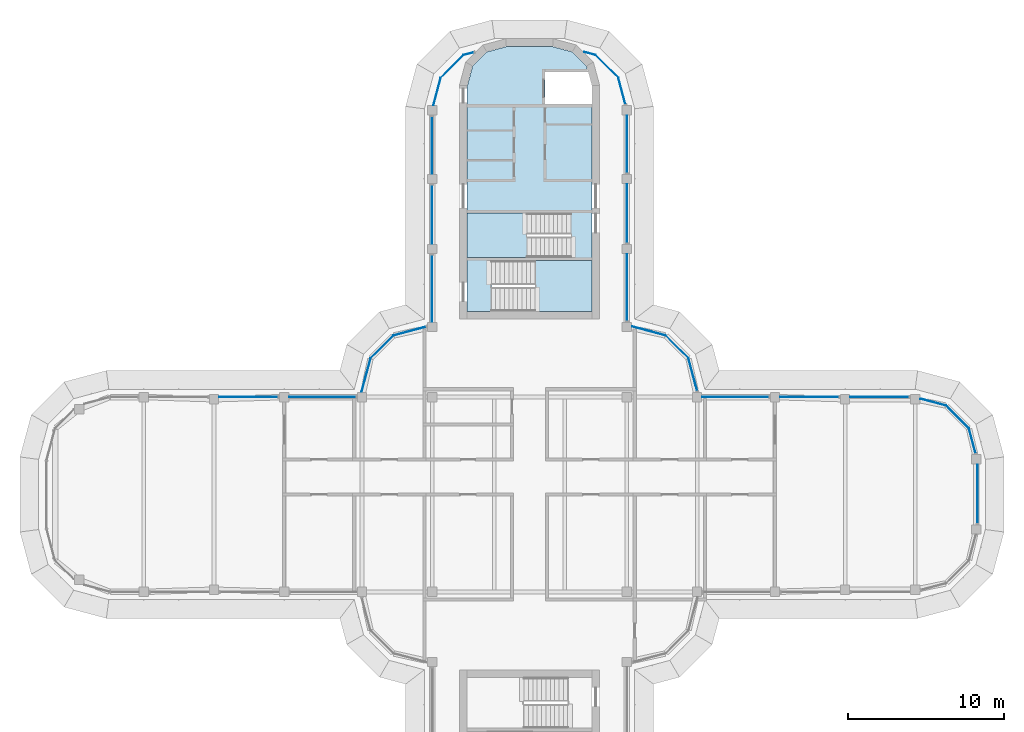
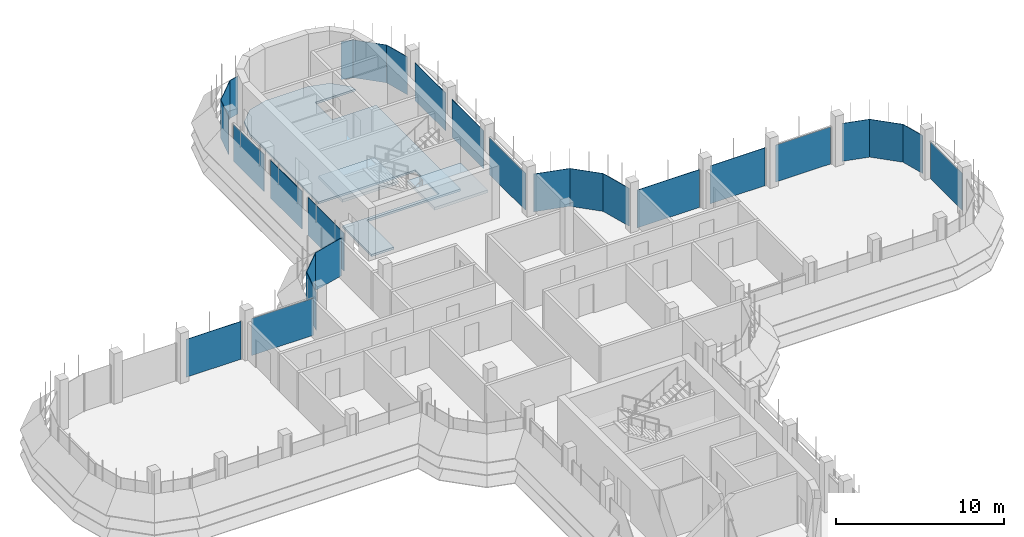
# One storey, part 12 of 19: 27 plates, 3 slabs, 22 elements without a shape of their own.
"""IFC4 building model written with IfcOpenShell, lengths in metres."""

from ifc_helpers import new_model, si_unit, direction, frame, origin, place, context, subcontext, project, spatial, polyline, outline, extrude, source, transform, mapped, material, layer, layer_set, type_object, element, aggregate, save


model = new_model("IFC4")

# Units and contexts
model_context = context("Model", 3, precision=1e-05, world=origin(), true_north=direction((0.0, 1.0)))
body_context = subcontext(model_context, "Body", "Model", "MODEL_VIEW")
ifc_project = project(units=[si_unit("LENGTHUNIT", "METRE"), si_unit("AREAUNIT", "SQUARE_METRE"), si_unit("VOLUMEUNIT", "CUBIC_METRE"), si_unit("PLANEANGLEUNIT", "RADIAN"), si_unit("MASSUNIT", "GRAM", prefix="KILO")], contexts=[model_context])

# Site, building, storey
site_placement = place(None, origin())
site = spatial("IfcSite", under=ifc_project, at=site_placement, CompositionType="ELEMENT")
building_placement = place(site_placement, origin())
building = spatial("IfcBuilding", under=site, at=building_placement, Name="Zarbagh Exchange Tower", CompositionType="ELEMENT")
storey_placement = place(building_placement, frame((0.0, 0.0, 257.39990234375)))
storey = spatial("IfcBuildingStorey", under=building, at=storey_placement, Name="L63", CompositionType="ELEMENT", Elevation=257.39990234375)

# Slab
ifc_material_1 = material(Name="Concrete C40/50", Category="concrete")
ifc_layer_1 = layer(ifc_material_1, 0.14990234375)
ifc_layer_set_1 = layer_set([ifc_layer_1], Name="Core floor slab 150 C40/50")
slab_type_1 = type_object("IfcSlabType", Name="Core floor slab 150 C40/50", PredefinedType="FLOOR", material=ifc_layer_set_1)
slab_1_placement = place(storey_placement, frame((0.0, 0.0, -0.14990234375)))
element("IfcSlab", 1, at=slab_1_placement, inside=storey, type_object=slab_type_1, Name="S17 core N", PredefinedType="FLOOR", context=body_context, shape_type="SweptSolid", body=[
    extrude(outline(polyline([(-4.0, 11.75), (-4.0, 15.199951171875), (2.64990234375, 15.199951171875), (2.64990234375, 18.050048828125), (-4.0, 18.050048828125), (-4.0, 26.18408203125), (-3.64990234375, 27.4912109375), (-2.7412109375, 28.39990234375), (-1.43408203125, 28.75), (1.43408203125, 28.75), (2.7412109375, 28.39990234375), (3.64990234375, 27.4912109375), (3.857666015625, 26.715087890625), (3.754638671875, 27.10009765625), (1.0, 27.10009765625), (1.0, 25.050048828125), (4.0, 25.050048828125), (4.0, 15.0), (-2.449951171875, 15.0), (-2.449951171875, 11.75), (-4.0, 11.75)])), origin(), (0.0, 0.0, 1.0), 0.14990234375),
])

# Stair, slab
stair_type = type_object("IfcStairType", Name="Exit stair two-flight half-turn", PredefinedType="HALF_TURN_STAIR", material=ifc_material_1)
stair_1_placement = place(storey_placement, origin())
stair_1 = element("IfcStair", 2, at=stair_1_placement, inside=storey, type_object=stair_type, Name="exit stair ST1", PredefinedType="HALF_TURN_STAIR")
ifc_layer_2 = layer(ifc_material_1, 0.199951171875)
ifc_layer_set_2 = layer_set([ifc_layer_2], Name="Stair landing 200 mm")
slab_type_2 = type_object("IfcSlabType", Name="Stair landing 200 mm", PredefinedType="LANDING", material=ifc_layer_set_2)
slab_2_placement = place(storey_placement, frame((0.0, 0.0, 1.7001953125)))
slab_2 = element("IfcSlab", 3, at=slab_2_placement, type_object=slab_type_2, Name="ST1 landing 1", PredefinedType="LANDING", context=body_context, shape_type="SweptSolid", body=[
    extrude(outline(polyline([(-0.14990234375, 18.050048828125), (-4.0, 18.050048828125), (-4.0, 15.199951171875), (-0.14990234375, 15.199951171875), (-0.14990234375, 18.050048828125)])), origin(), (0.0, 0.0, 1.0), 0.199951171875),
])
aggregate(stair_1, [slab_2])

stair_2_placement = place(storey_placement, origin())
stair_2 = element("IfcStair", 4, at=stair_2_placement, inside=storey, type_object=stair_type, Name="exit stair ST2", PredefinedType="HALF_TURN_STAIR")
slab_3_placement = place(storey_placement, frame((0.0, 0.0, 1.7001953125)))
slab_3 = element("IfcSlab", 5, at=slab_3_placement, type_object=slab_type_2, Name="ST2 landing 1", PredefinedType="LANDING", context=body_context, shape_type="SweptSolid", body=[
    extrude(outline(polyline([(0.35009765625, 11.75), (4.0, 11.75), (4.0, 15.0), (0.35009765625, 15.0), (0.35009765625, 11.75)])), origin(), (0.0, 0.0, 1.0), 0.199951171875),
])
aggregate(stair_2, [slab_3])

# Curtain wall, plate
ifc_material_2 = material(Name="Anodised aluminium frame and glazing", Category="aluminium")
curtain_wall_type = type_object("IfcCurtainWallType", Name="CWB Ribbon glazing, upper zones", PredefinedType="NOTDEFINED", material=ifc_material_2)
curtain_wall_1_placement = place(storey_placement, origin())
curtain_wall_1 = element("IfcCurtainWall", 6, at=curtain_wall_1_placement, inside=storey, type_object=curtain_wall_type, Name="CWB80 curtain wall", PredefinedType="NOTDEFINED")
ifc_material_3 = material(Name="Low-e double glazed unit, 6+12+6 mm")
ifc_layer_3 = layer(ifc_material_3, 0.031982421875)
ifc_layer_set_3 = layer_set([ifc_layer_3], Name="PAB Glazing panel, Low-e double glazed unit, 6+12+6 mm")
plate_type = type_object("IfcPlateType", Name="PAB Glazing panel, Low-e double glazed unit, 6+12+6 mm", PredefinedType="CURTAIN_PANEL", material=ifc_layer_set_3)
shared_shape_1 = source(origin(), body_context, "Body", "SweptSolid", [
    extrude(outline(polyline([(0.0, -0.01611328125), (2.061279296875, -0.01611328125), (2.061279296875, 0.01611328125), (0.0, 0.01611328125), (0.0, -0.01611328125)])), origin(), (0.0, 0.0, 1.0), 2.75),
])
placement = place(storey_placement, origin())
plate_1 = element("IfcPlate", 7, at=placement, type_object=plate_type, Name="CWB80 glazing panel 1.1", PredefinedType="CURTAIN_PANEL", context=body_context, shape_type="MappedRepresentation", body=[
    mapped(shared_shape_1, transform((28.19873046875, 4.2412109375, 0.0), x_axis=(-0.707106781187, 0.707106781187, 0.0), y_axis=(-0.707106781187, -0.707106781187, 0.0), z_axis=(0.0, 0.0, 1.0))),
])
aggregate(curtain_wall_1, [plate_1])

curtain_wall_2_placement = place(storey_placement, origin())
curtain_wall_2 = element("IfcCurtainWall", 8, at=curtain_wall_2_placement, inside=storey, type_object=curtain_wall_type, Name="CWB18 curtain wall", PredefinedType="NOTDEFINED")
plate_2 = element("IfcPlate", 9, at=placement, type_object=plate_type, Name="CWB18 glazing panel 1.1", PredefinedType="CURTAIN_PANEL", context=body_context, shape_type="MappedRepresentation", body=[
    mapped(shared_shape_1, transform((10.19873046875, 8.7412109375, 0.0), x_axis=(-0.707106781187, 0.707106781187, 0.0), y_axis=(-0.707106781187, -0.707106781187, 0.0), z_axis=(0.0, 0.0, 1.0))),
])
aggregate(curtain_wall_2, [plate_2])

curtain_wall_3_placement = place(storey_placement, origin())
curtain_wall_3 = element("IfcCurtainWall", 10, at=curtain_wall_3_placement, inside=storey, type_object=curtain_wall_type, Name="CWB74 curtain wall", PredefinedType="NOTDEFINED")
plate_3 = element("IfcPlate", 11, at=placement, type_object=plate_type, Name="CWB74 glazing panel 1.1", PredefinedType="CURTAIN_PANEL", context=body_context, shape_type="MappedRepresentation", body=[
    mapped(shared_shape_1, transform((5.69873046875, 26.7412109375, 0.0), x_axis=(-0.707106781187, 0.707106781187, 0.0), y_axis=(-0.707106781187, -0.707106781187, 0.0), z_axis=(0.0, 0.0, 1.0))),
])
aggregate(curtain_wall_3, [plate_3])

curtain_wall_4_placement = place(storey_placement, origin())
curtain_wall_4 = element("IfcCurtainWall", 12, at=curtain_wall_4_placement, inside=storey, type_object=curtain_wall_type, Name="CWB71 curtain wall", PredefinedType="NOTDEFINED")
plate_4 = element("IfcPlate", 13, at=placement, type_object=plate_type, Name="CWB71 glazing panel 1.1", PredefinedType="CURTAIN_PANEL", context=body_context, shape_type="MappedRepresentation", body=[
    mapped(shared_shape_1, transform((-4.2412109375, 28.19873046875, 0.0), x_axis=(-0.707106781187, -0.707106781187, 0.0), y_axis=(0.707106781187, -0.707106781187, 0.0), z_axis=(0.0, 0.0, 1.0))),
])
aggregate(curtain_wall_4, [plate_4])

curtain_wall_5_placement = place(storey_placement, origin())
curtain_wall_5 = element("IfcCurtainWall", 14, at=curtain_wall_5_placement, inside=storey, type_object=curtain_wall_type, Name="CWB30 curtain wall", PredefinedType="NOTDEFINED")
plate_5 = element("IfcPlate", 15, at=placement, type_object=plate_type, Name="CWB30 glazing panel 1.1", PredefinedType="CURTAIN_PANEL", context=body_context, shape_type="MappedRepresentation", body=[
    mapped(shared_shape_1, transform((-8.7412109375, 10.19873046875, 0.0), x_axis=(-0.707106781187, -0.707106781187, 0.0), y_axis=(0.707106781187, -0.707106781187, 0.0), z_axis=(0.0, 0.0, 1.0))),
])
aggregate(curtain_wall_5, [plate_5])

curtain_wall_6_placement = place(storey_placement, origin())
curtain_wall_6 = element("IfcCurtainWall", 16, at=curtain_wall_6_placement, inside=storey, type_object=curtain_wall_type, Name="CWB81 curtain wall", PredefinedType="NOTDEFINED")
shared_shape_2 = source(origin(), body_context, "Body", "SweptSolid", [
    extrude(outline(polyline([(0.0, -0.01611328125), (1.70947265625, -0.01611328125), (1.70947265625, 0.01611328125), (0.0, 0.01611328125), (0.0, -0.01611328125)])), origin(), (0.0, 0.0, 1.0), 2.75),
])
plate_6 = element("IfcPlate", 17, at=placement, type_object=plate_type, Name="CWB81 glazing panel 1.1", PredefinedType="CURTAIN_PANEL", context=body_context, shape_type="MappedRepresentation", body=[
    mapped(shared_shape_2, transform((26.7412109375, 5.69873046875, 0.0), x_axis=(-0.965924289636, 0.258824779902, 0.0), y_axis=(-0.258824779902, -0.965924289636, 0.0), z_axis=(0.0, 0.0, 1.0))),
])
aggregate(curtain_wall_6, [plate_6])

curtain_wall_7_placement = place(storey_placement, origin())
curtain_wall_7 = element("IfcCurtainWall", 18, at=curtain_wall_7_placement, inside=storey, type_object=curtain_wall_type, Name="CWB79 curtain wall", PredefinedType="NOTDEFINED")
shared_shape_3 = source(origin(), body_context, "Body", "SweptSolid", [
    extrude(outline(polyline([(0.0, -0.01611328125), (1.6494140625, -0.01611328125), (1.6494140625, 0.01611328125), (0.0, 0.01611328125), (0.0, -0.01611328125)])), origin(), (0.0, 0.0, 1.0), 2.75),
])
plate_7 = element("IfcPlate", 19, at=placement, type_object=plate_type, Name="CWB79 glazing panel 1.1", PredefinedType="CURTAIN_PANEL", context=body_context, shape_type="MappedRepresentation", body=[
    mapped(shared_shape_3, transform((28.625732421875, 2.64794921875, 0.0), x_axis=(-0.258824779902, 0.965924289636, 0.0), y_axis=(-0.965924289636, -0.258824779902, 0.0), z_axis=(0.0, 0.0, 1.0))),
])
aggregate(curtain_wall_7, [plate_7])

curtain_wall_8_placement = place(storey_placement, origin())
curtain_wall_8 = element("IfcCurtainWall", 20, at=curtain_wall_8_placement, inside=storey, type_object=curtain_wall_type, Name="CWB67 curtain wall", PredefinedType="NOTDEFINED")
shared_shape_4 = source(origin(), body_context, "Body", "SweptSolid", [
    extrude(outline(polyline([(0.0, -0.01611328125), (3.659912109375, -0.01611328125), (3.659912109375, 0.01611328125), (0.0, 0.01611328125), (0.0, -0.01611328125)])), origin(), (0.0, 0.0, 1.0), 2.75),
])
plate_8 = element("IfcPlate", 21, at=placement, type_object=plate_type, Name="CWB67 glazing panel 3.1", PredefinedType="CURTAIN_PANEL", context=body_context, shape_type="MappedRepresentation", body=[
    mapped(shared_shape_4, transform((6.25, 20.650146484375, 0.0), x_axis=(0.0, 1.0, 0.0), y_axis=(-1.0, 0.0, 0.0), z_axis=(0.0, 0.0, 1.0))),
])

curtain_wall_9_placement = place(storey_placement, origin())
curtain_wall_9 = element("IfcCurtainWall", 22, at=curtain_wall_9_placement, inside=storey, type_object=curtain_wall_type, Name="CWB69 curtain wall", PredefinedType="NOTDEFINED")
shared_shape_5 = source(origin(), body_context, "Body", "SweptSolid", [
    extrude(outline(polyline([(0.0, -0.01611328125), (0.757080078125, -0.01611328125), (0.757080078125, 0.01611328125), (0.0, 0.01611328125), (0.0, -0.01611328125)])), origin(), (0.0, 0.0, 1.0), 2.75),
])
plate_9 = element("IfcPlate", 23, at=placement, type_object=plate_type, Name="CWB69 glazing panel 1.1", PredefinedType="CURTAIN_PANEL", context=body_context, shape_type="MappedRepresentation", body=[
    mapped(shared_shape_5, transform((4.2412109375, 28.19873046875, 0.0), x_axis=(-0.965924289636, 0.258824779902, 0.0), y_axis=(-0.258824779902, -0.965924289636, 0.0), z_axis=(0.0, 0.0, 1.0))),
])
aggregate(curtain_wall_9, [plate_9])

curtain_wall_10_placement = place(storey_placement, origin())
curtain_wall_10 = element("IfcCurtainWall", 24, at=curtain_wall_10_placement, inside=storey, type_object=curtain_wall_type, Name="CWB70 curtain wall", PredefinedType="NOTDEFINED")
shared_shape_6 = source(origin(), body_context, "Body", "SweptSolid", [
    extrude(outline(polyline([(0.0, -0.01611328125), (0.697021484375, -0.01611328125), (0.697021484375, 0.01611328125), (0.0, 0.01611328125), (0.0, -0.01611328125)])), origin(), (0.0, 0.0, 1.0), 2.75),
])
plate_10 = element("IfcPlate", 25, at=placement, type_object=plate_type, Name="CWB70 glazing panel 1.1", PredefinedType="CURTAIN_PANEL", context=body_context, shape_type="MappedRepresentation", body=[
    mapped(shared_shape_6, transform((-3.56787109375, 28.379150390625, 0.0), x_axis=(-0.965924289636, -0.258824779902, 0.0), y_axis=(0.258824779902, -0.965924289636, 0.0), z_axis=(0.0, 0.0, 1.0))),
])
aggregate(curtain_wall_10, [plate_10])

curtain_wall_11_placement = place(storey_placement, origin())
curtain_wall_11 = element("IfcCurtainWall", 26, at=curtain_wall_11_placement, inside=storey, type_object=curtain_wall_type, Name="CWB72 curtain wall", PredefinedType="NOTDEFINED")
shared_shape_7 = source(origin(), body_context, "Body", "SweptSolid", [
    extrude(outline(polyline([(0.0, -0.01611328125), (1.81298828125, -0.01611328125), (1.81298828125, 0.01611328125), (0.0, 0.01611328125), (0.0, -0.01611328125)])), origin(), (0.0, 0.0, 1.0), 2.75),
])
plate_11 = element("IfcPlate", 27, at=placement, type_object=plate_type, Name="CWB72 glazing panel 1.1", PredefinedType="CURTAIN_PANEL", context=body_context, shape_type="MappedRepresentation", body=[
    mapped(shared_shape_7, transform((-5.69873046875, 26.7412109375, 0.0), x_axis=(-0.258824779902, -0.965924289636, 0.0), y_axis=(0.965924289636, -0.258824779902, 0.0), z_axis=(0.0, 0.0, 1.0))),
])
aggregate(curtain_wall_11, [plate_11])

curtain_wall_12_placement = place(storey_placement, origin())
curtain_wall_12 = element("IfcCurtainWall", 28, at=curtain_wall_12_placement, inside=storey, type_object=curtain_wall_type, Name="CWB82 curtain wall", PredefinedType="NOTDEFINED")
shared_shape_8 = source(origin(), body_context, "Body", "SweptSolid", [
    extrude(outline(polyline([(0.0, -0.01611328125), (3.760009765625, -0.01611328125), (3.760009765625, 0.01611328125), (0.0, 0.01611328125), (0.0, -0.01611328125)])), origin(), (0.0, 0.0, 1.0), 2.75),
])
plate_12 = element("IfcPlate", 29, at=placement, type_object=plate_type, Name="CWB82 glazing panel 2.1", PredefinedType="CURTAIN_PANEL", context=body_context, shape_type="MappedRepresentation", body=[
    mapped(shared_shape_8, transform((19.849853515625, 6.25, 0.0), x_axis=(-1.0, 0.0, 0.0), y_axis=(0.0, -1.0, 0.0), z_axis=(0.0, 0.0, 1.0))),
])

# Plate
plate_13 = element("IfcPlate", 30, at=placement, type_object=plate_type, Name="CWB67 glazing panel 2.1", PredefinedType="CURTAIN_PANEL", context=body_context, shape_type="MappedRepresentation", body=[
    mapped(shared_shape_8, transform((6.25, 16.150146484375, 0.0), x_axis=(0.0, 1.0, 0.0), y_axis=(-1.0, 0.0, 0.0), z_axis=(0.0, 0.0, 1.0))),
])

# Curtain wall, plate
curtain_wall_13_placement = place(storey_placement, origin())
curtain_wall_13 = element("IfcCurtainWall", 31, at=curtain_wall_13_placement, inside=storey, type_object=curtain_wall_type, Name="CWB73 curtain wall", PredefinedType="NOTDEFINED")
plate_14 = element("IfcPlate", 32, at=placement, type_object=plate_type, Name="CWB73 glazing panel 2.1", PredefinedType="CURTAIN_PANEL", context=body_context, shape_type="MappedRepresentation", body=[
    mapped(shared_shape_8, transform((-6.25, 19.849853515625, 0.0), x_axis=(0.0, -1.0, 0.0), y_axis=(1.0, 0.0, 0.0), z_axis=(0.0, 0.0, 1.0))),
])

curtain_wall_14_placement = place(storey_placement, origin())
curtain_wall_14 = element("IfcCurtainWall", 33, at=curtain_wall_14_placement, inside=storey, type_object=curtain_wall_type, Name="CWB58 curtain wall", PredefinedType="NOTDEFINED")
plate_15 = element("IfcPlate", 34, at=placement, type_object=plate_type, Name="CWB58 glazing panel 2.1", PredefinedType="CURTAIN_PANEL", context=body_context, shape_type="MappedRepresentation", body=[
    mapped(shared_shape_8, transform((-16.150146484375, 6.25, 0.0), x_axis=(-1.0, 0.0, 0.0), y_axis=(0.0, -1.0, 0.0), z_axis=(0.0, 0.0, 1.0))),
])

# Plate
shared_shape_9 = source(origin(), body_context, "Body", "SweptSolid", [
    extrude(outline(polyline([(0.0, -0.01611328125), (4.260009765625, -0.01611328125), (4.260009765625, 0.01611328125), (0.0, 0.01611328125), (0.0, -0.01611328125)])), origin(), (0.0, 0.0, 1.0), 2.75),
])
plate_16 = element("IfcPlate", 35, at=placement, type_object=plate_type, Name="CWB82 glazing panel 3.1", PredefinedType="CURTAIN_PANEL", context=body_context, shape_type="MappedRepresentation", body=[
    mapped(shared_shape_9, transform((15.349853515625, 6.25, 0.0), x_axis=(-1.0, 0.0, 0.0), y_axis=(0.0, -1.0, 0.0), z_axis=(0.0, 0.0, 1.0))),
])

plate_17 = element("IfcPlate", 36, at=placement, type_object=plate_type, Name="CWB73 glazing panel 3.1", PredefinedType="CURTAIN_PANEL", context=body_context, shape_type="MappedRepresentation", body=[
    mapped(shared_shape_9, transform((-6.25, 15.349853515625, 0.0), x_axis=(0.0, -1.0, 0.0), y_axis=(1.0, 0.0, 0.0), z_axis=(0.0, 0.0, 1.0))),
])

# Curtain wall, plate
curtain_wall_15_placement = place(storey_placement, origin())
curtain_wall_15 = element("IfcCurtainWall", 37, at=curtain_wall_15_placement, inside=storey, type_object=curtain_wall_type, Name="CWB17 curtain wall", PredefinedType="NOTDEFINED")
shared_shape_10 = source(origin(), body_context, "Body", "SweptSolid", [
    extrude(outline(polyline([(0.0, -0.01611328125), (2.1669921875, -0.01611328125), (2.1669921875, 0.01611328125), (0.0, 0.01611328125), (0.0, -0.01611328125)])), origin(), (0.0, 0.0, 1.0), 2.75),
])
plate_18 = element("IfcPlate", 38, at=placement, type_object=plate_type, Name="CWB17 glazing panel 1.1", PredefinedType="CURTAIN_PANEL", context=body_context, shape_type="MappedRepresentation", body=[
    mapped(shared_shape_10, transform((10.759765625, 6.64794921875, 0.0), x_axis=(-0.258824779902, 0.965924289636, 0.0), y_axis=(-0.965924289636, -0.258824779902, 0.0), z_axis=(0.0, 0.0, 1.0))),
])
aggregate(curtain_wall_15, [plate_18])

curtain_wall_16_placement = place(storey_placement, origin())
curtain_wall_16 = element("IfcCurtainWall", 39, at=curtain_wall_16_placement, inside=storey, type_object=curtain_wall_type, Name="CWB29 curtain wall", PredefinedType="NOTDEFINED")
plate_19 = element("IfcPlate", 40, at=placement, type_object=plate_type, Name="CWB29 glazing panel 1.1", PredefinedType="CURTAIN_PANEL", context=body_context, shape_type="MappedRepresentation", body=[
    mapped(shared_shape_10, transform((-6.64794921875, 10.759765625, 0.0), x_axis=(-0.965924289636, -0.258824779902, 0.0), y_axis=(0.258824779902, -0.965924289636, 0.0), z_axis=(0.0, 0.0, 1.0))),
])
aggregate(curtain_wall_16, [plate_19])

curtain_wall_17_placement = place(storey_placement, origin())
curtain_wall_17 = element("IfcCurtainWall", 41, at=curtain_wall_17_placement, inside=storey, type_object=curtain_wall_type, Name="CWB19 curtain wall", PredefinedType="NOTDEFINED")
shared_shape_11 = source(origin(), body_context, "Body", "SweptSolid", [
    extrude(outline(polyline([(0.0, -0.01611328125), (2.22705078125, -0.01611328125), (2.22705078125, 0.01611328125), (0.0, 0.01611328125), (0.0, -0.01611328125)])), origin(), (0.0, 0.0, 1.0), 2.75),
])
plate_20 = element("IfcPlate", 42, at=placement, type_object=plate_type, Name="CWB19 glazing panel 1.1", PredefinedType="CURTAIN_PANEL", context=body_context, shape_type="MappedRepresentation", body=[
    mapped(shared_shape_11, transform((8.7412109375, 10.19873046875, 0.0), x_axis=(-0.965924289636, 0.258824779902, 0.0), y_axis=(-0.258824779902, -0.965924289636, 0.0), z_axis=(0.0, 0.0, 1.0))),
])
aggregate(curtain_wall_17, [plate_20])

curtain_wall_18_placement = place(storey_placement, origin())
curtain_wall_18 = element("IfcCurtainWall", 43, at=curtain_wall_18_placement, inside=storey, type_object=curtain_wall_type, Name="CWB31 curtain wall", PredefinedType="NOTDEFINED")
plate_21 = element("IfcPlate", 44, at=placement, type_object=plate_type, Name="CWB31 glazing panel 1.1", PredefinedType="CURTAIN_PANEL", context=body_context, shape_type="MappedRepresentation", body=[
    mapped(shared_shape_11, transform((-10.19873046875, 8.7412109375, 0.0), x_axis=(-0.258824779902, -0.965924289636, 0.0), y_axis=(0.965924289636, -0.258824779902, 0.0), z_axis=(0.0, 0.0, 1.0))),
])
aggregate(curtain_wall_18, [plate_21])

# Plate
shared_shape_12 = source(origin(), body_context, "Body", "SweptSolid", [
    extrude(outline(polyline([(0.0, -0.01611328125), (4.260009765625, -0.01611328125), (4.260009765625, 0.01611328125), (0.0, 0.01611328125), (0.0, -0.01611328125)])), origin(), (0.0, 0.0, 1.0), 2.68994140625),
])
plate_22 = element("IfcPlate", 45, at=placement, type_object=plate_type, Name="CWB67 glazing panel 1.1", PredefinedType="CURTAIN_PANEL", context=body_context, shape_type="MappedRepresentation", body=[
    mapped(shared_shape_12, transform((6.25, 11.150146484375, 0.0), x_axis=(0.0, 1.0, 0.0), y_axis=(-1.0, 0.0, 0.0), z_axis=(0.0, 0.0, 1.0))),
])

aggregate(curtain_wall_8, [plate_22, plate_13, plate_8])

plate_23 = element("IfcPlate", 46, at=placement, type_object=plate_type, Name="CWB58 glazing panel 1.1", PredefinedType="CURTAIN_PANEL", context=body_context, shape_type="MappedRepresentation", body=[
    mapped(shared_shape_12, transform((-11.150146484375, 6.25, 0.0), x_axis=(-1.0, 0.0, 0.0), y_axis=(0.0, -1.0, 0.0), z_axis=(0.0, 0.0, 1.0))),
])

aggregate(curtain_wall_14, [plate_23, plate_15])

# Curtain wall, plate
curtain_wall_19_placement = place(storey_placement, origin())
curtain_wall_19 = element("IfcCurtainWall", 47, at=curtain_wall_19_placement, inside=storey, type_object=curtain_wall_type, Name="CWB83 curtain wall", PredefinedType="NOTDEFINED")
shared_shape_13 = source(origin(), body_context, "Body", "SweptSolid", [
    extrude(outline(polyline([(0.0, -0.01611328125), (3.760009765625, -0.01611328125), (3.760009765625, 0.01611328125), (0.0, 0.01611328125), (0.0, -0.01611328125)])), origin(), (0.0, 0.0, 1.0), 2.68994140625),
])
plate_24 = element("IfcPlate", 48, at=placement, type_object=plate_type, Name="CWB83 glazing panel 1.1", PredefinedType="CURTAIN_PANEL", context=body_context, shape_type="MappedRepresentation", body=[
    mapped(shared_shape_13, transform((28.75, -1.849853515625, 0.0), x_axis=(0.0, 1.0, 0.0), y_axis=(-1.0, 0.0, 0.0), z_axis=(0.0, 0.0, 1.0))),
])
aggregate(curtain_wall_19, [plate_24])

# Plate
plate_25 = element("IfcPlate", 49, at=placement, type_object=plate_type, Name="CWB82 glazing panel 1.1", PredefinedType="CURTAIN_PANEL", context=body_context, shape_type="MappedRepresentation", body=[
    mapped(shared_shape_13, transform((24.349853515625, 6.25, 0.0), x_axis=(-1.0, 0.0, 0.0), y_axis=(0.0, -1.0, 0.0), z_axis=(0.0, 0.0, 1.0))),
])

aggregate(curtain_wall_12, [plate_25, plate_12, plate_16])

# Curtain wall, plate
curtain_wall_20_placement = place(storey_placement, origin())
curtain_wall_20 = element("IfcCurtainWall", 50, at=curtain_wall_20_placement, inside=storey, type_object=curtain_wall_type, Name="CWB68 curtain wall", PredefinedType="NOTDEFINED")
shared_shape_14 = source(origin(), body_context, "Body", "SweptSolid", [
    extrude(outline(polyline([(0.0, -0.01611328125), (1.7529296875, -0.01611328125), (1.7529296875, 0.01611328125), (0.0, 0.01611328125), (0.0, -0.01611328125)])), origin(), (0.0, 0.0, 1.0), 2.75),
])
plate_26 = element("IfcPlate", 51, at=placement, type_object=plate_type, Name="CWB68 glazing panel 1.1", PredefinedType="CURTAIN_PANEL", context=body_context, shape_type="MappedRepresentation", body=[
    mapped(shared_shape_14, transform((6.152587890625, 25.0478515625, 0.0), x_axis=(-0.258824779902, 0.965924289636, 0.0), y_axis=(-0.965924289636, -0.258824779902, 0.0), z_axis=(0.0, 0.0, 1.0))),
])
aggregate(curtain_wall_20, [plate_26])

# Plate
shared_shape_15 = source(origin(), body_context, "Body", "SweptSolid", [
    extrude(outline(polyline([(0.0, -0.01611328125), (3.659912109375, -0.01611328125), (3.659912109375, 0.01611328125), (0.0, 0.01611328125), (0.0, -0.01611328125)])), origin(), (0.0, 0.0, 1.0), 2.68994140625),
])
plate_27 = element("IfcPlate", 52, at=placement, type_object=plate_type, Name="CWB73 glazing panel 1.1", PredefinedType="CURTAIN_PANEL", context=body_context, shape_type="MappedRepresentation", body=[
    mapped(shared_shape_15, transform((-6.25, 24.25, 0.0), x_axis=(0.0, -1.0, 0.0), y_axis=(1.0, 0.0, 0.0), z_axis=(0.0, 0.0, 1.0))),
])

aggregate(curtain_wall_13, [plate_27, plate_14, plate_17])

save(model, "model.ifc")
